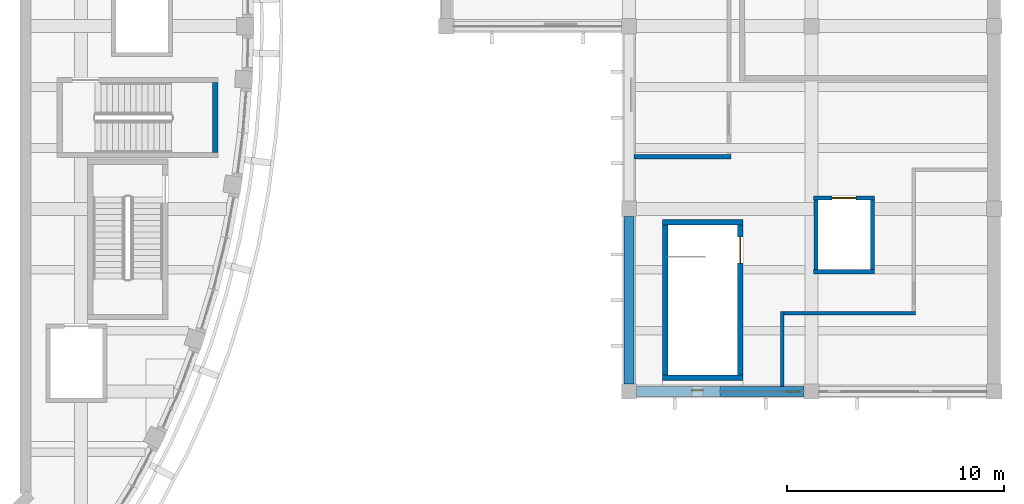
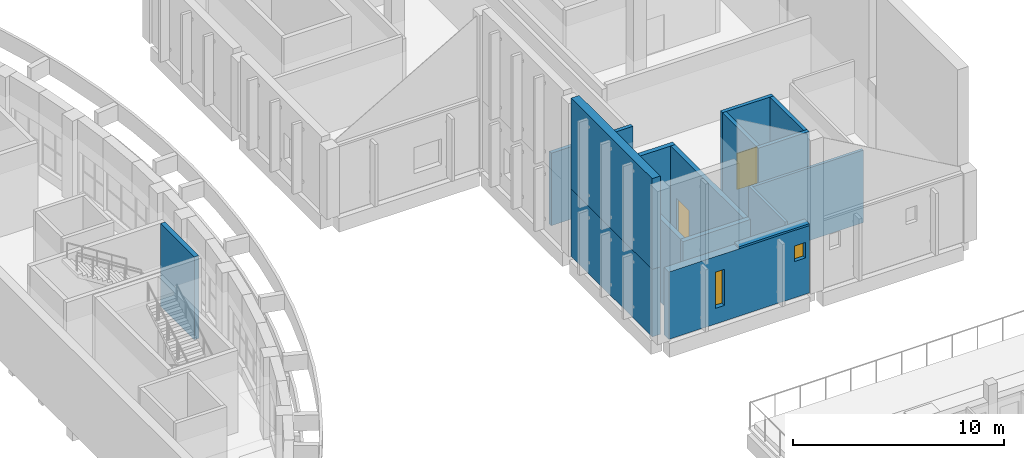
# One storey, part 41 of 79: 16 walls, 2 doors, 2 windows, 4 openings.
"""IFC4 building model written with IfcOpenShell, lengths in metres."""

from ifc_helpers import new_model, si_unit, direction, frame, frame_2d, origin, place, context, subcontext, project, spatial, rectangle, extrude, material, layer, layer_set, type_object, element, fill, save


model = new_model("IFC4")

# Units and contexts
model_context = context("Model", 3, precision=1e-05, world=origin(), true_north=direction((0.0, 1.0)))
body_context = subcontext(model_context, "Body", "Model", "MODEL_VIEW")
ifc_project = project(units=[si_unit("LENGTHUNIT", "METRE"), si_unit("AREAUNIT", "SQUARE_METRE"), si_unit("VOLUMEUNIT", "CUBIC_METRE"), si_unit("PLANEANGLEUNIT", "RADIAN"), si_unit("MASSUNIT", "GRAM", prefix="KILO")], contexts=[model_context])

# Site, building, storey
site_placement = place(None, origin())
site = spatial("IfcSite", under=ifc_project, at=site_placement, CompositionType="ELEMENT")
building_placement = place(site_placement, origin())
building = spatial("IfcBuilding", under=site, at=building_placement, Name="Larchfold Concert Hall", CompositionType="ELEMENT")
storey_placement = place(building_placement, frame((0.0, 0.0, 14.39990234375)))
storey = spatial("IfcBuildingStorey", under=building, at=storey_placement, Name="L03", CompositionType="ELEMENT", Elevation=14.39990234375)

# Walls
ifc_material_1 = material(Name="Plasterboard partition on steel studs", Category="steel")
ifc_layer_1 = layer(ifc_material_1, 0.199951171875)
ifc_layer_set_1 = layer_set([ifc_layer_1], Name="Plasterboard partition on steel studs")
wall_type_1 = type_object("IfcWallType", Name="Acoustic partition 200", PredefinedType="PARTITIONING", material=ifc_layer_set_1)
wall_1_placement = place(storey_placement, frame((84.8251953125, 78.60009765625, 0.0), z_axis=(0.0, 0.0, 1.0), x_axis=(1.0, 0.0, 0.0)))
element("IfcWall", 1, at=wall_1_placement, inside=storey, type_object=wall_type_1, Name="Partition IW0055", PredefinedType="PARTITIONING", context=body_context, shape_type="SweptSolid", body=[
    extrude(rectangle(XDim=4.474853515625, YDim=0.199951171875, at=frame_2d((2.2373046875, 0.0))), origin(), (0.0, 0.0, 1.0), 4.2001953125),
])
ifc_material_2 = material(Name="Charred larch cladding on mineral wool and CLT", Category="wood")
ifc_layer_2 = layer(ifc_material_2, 0.449951171875)
ifc_layer_set_2 = layer_set([ifc_layer_2], Name="Charred larch cladding on mineral wool and CLT")
wall_type_2 = type_object("IfcWallType", Name="Charred larch infill wall 450", PredefinedType="SOLIDWALL", material=ifc_layer_set_2)
wall_2_placement = place(storey_placement, frame((84.60009765625, 75.849853515625, 0.0), z_axis=(0.0, 0.0, 1.0), x_axis=(0.0, -1.0, 0.0)))
element("IfcWall", 2, at=wall_2_placement, inside=storey, type_object=wall_type_2, Name="Infill wall W5103", PredefinedType="SOLIDWALL", context=body_context, shape_type="SweptSolid", body=[
    extrude(rectangle(XDim=7.69970703125, YDim=0.449951171875, at=frame_2d((3.849853515625, 0.0))), origin(), (0.0, 0.0, 1.0), 3.900146484375),
])

# Wall, openings, windows
wall_3_placement = place(storey_placement, frame((84.9501953125, 67.800048828125, 0.0), z_axis=(0.0, 0.0, 1.0), x_axis=(1.0, 0.0, 0.0)))
wall_3 = element("IfcWall", 3, at=wall_3_placement, inside=storey, type_object=wall_type_2, Name="Infill wall W5104", PredefinedType="SOLIDWALL", context=body_context, shape_type="SweptSolid", body=[
    extrude(rectangle(XDim=7.69970703125, YDim=0.449951171875, at=frame_2d((3.849853515625, 0.0))), origin(), (0.0, 0.0, 1.0), 3.900146484375),
])
opening_1_placement = place(wall_3_placement, frame((2.5498046875, 0.0, 0.89990234375)))
opening_1 = element("IfcOpeningElement", 4, at=opening_1_placement, cuts=wall_3, Name="Opening WN-L03-057", PredefinedType="OPENING", context=body_context, shape_type="SweptSolid", body=[
    extrude(rectangle(XDim=0.5, YDim=2.10009765625, at=frame_2d((0.25, 1.050048828125))), frame((0.0, 0.23486328125, 0.0), z_axis=(0.0, -1.0, 0.0), x_axis=(1.0, 0.0, 0.0)), (0.0, 0.0, 1.0), 0.469970703125),
])
opening_2_placement = place(wall_3_placement, frame((6.874755859375, 0.0, 2.10009765625)))
opening_2 = element("IfcOpeningElement", 5, at=opening_2_placement, cuts=wall_3, Name="Opening WN-L03-058", PredefinedType="OPENING", context=body_context, shape_type="SweptSolid", body=[
    extrude(rectangle(XDim=0.60009765625, YDim=0.89990234375, at=frame_2d((0.300048828125, 0.449951171875))), frame((0.0, 0.23486328125, 0.0), z_axis=(0.0, -1.0, 0.0), x_axis=(1.0, 0.0, 0.0)), (0.0, 0.0, 1.0), 0.469970703125),
])
ifc_material_3 = material(Name="Anodised graphite aluminium frame with glass", Category="aluminium")
window_type_1 = type_object("IfcWindowType", Name="Stair slot window 500x2100", PartitioningType="SINGLE_PANEL", PredefinedType="WINDOW", material=ifc_material_3)
window_1_placement = place(opening_1_placement, origin())
window_1 = element("IfcWindow", 6, at=window_1_placement, inside=storey, type_object=window_type_1, Name="Window WN-L03-057", OverallHeight=2.10009765625, OverallWidth=0.5, PartitioningType="SINGLE_PANEL", PredefinedType="WINDOW", context=body_context, shape_type="SweptSolid", body=[
    extrude(rectangle(XDim=0.5, YDim=2.10009765625, at=frame_2d((0.25, 1.050048828125))), frame((0.0, 0.0849609375, 0.0), z_axis=(0.0, -1.0, 0.0), x_axis=(1.0, 0.0, 0.0)), (0.0, 0.0, 1.0), 0.06005859375),
])
fill(opening_1, window_1)
ifc_material_4 = material(Name="Anodised graphite aluminium frame with glass", Category="aluminium")
window_type_2 = type_object("IfcWindowType", Name="Store high window 600x900", PartitioningType="SINGLE_PANEL", PredefinedType="WINDOW", material=ifc_material_4)
window_2_placement = place(opening_2_placement, origin())
window_2 = element("IfcWindow", 7, at=window_2_placement, inside=storey, type_object=window_type_2, Name="Window WN-L03-058", OverallHeight=0.89990234375, OverallWidth=0.60009765625, PartitioningType="SINGLE_PANEL", PredefinedType="WINDOW", context=body_context, shape_type="SweptSolid", body=[
    extrude(rectangle(XDim=0.60009765625, YDim=0.89990234375, at=frame_2d((0.300048828125, 0.449951171875))), frame((0.0, 0.034912109375, 0.0), z_axis=(0.0, -1.0, 0.0), x_axis=(1.0, 0.0, 0.0)), (0.0, 0.0, 1.0), 0.06005859375),
])
fill(opening_2, window_2)

# Walls
wall_4_placement = place(storey_placement, frame((88.800048828125, 67.800048828125, 3.900146484375), z_axis=(0.0, 0.0, 1.0), x_axis=(1.0, 0.0, 0.0)))
element("IfcWall", 8, at=wall_4_placement, inside=storey, type_object=wall_type_2, Name="Infill wall W5203", PredefinedType="SOLIDWALL", context=body_context, shape_type="SweptSolid", body=[
    extrude(rectangle(XDim=3.849853515625, YDim=0.449951171875, at=frame_2d((1.9248046875, 0.0))), origin(), (0.0, 0.0, 1.0), 0.114501953125),
])
wall_5_placement = place(storey_placement, frame((84.60009765625, 75.849853515625, 3.900146484375), z_axis=(0.0, 0.0, 1.0), x_axis=(0.0, -1.0, 0.0)))
element("IfcWall", 9, at=wall_5_placement, inside=storey, type_object=wall_type_2, Name="Infill wall W5206", PredefinedType="SOLIDWALL", context=body_context, shape_type="SweptSolid", body=[
    extrude(rectangle(XDim=7.69970703125, YDim=0.449951171875, at=frame_2d((3.849853515625, 0.0))), origin(), (0.0, 0.0, 1.0), 5.26416015625),
])
ifc_material_5 = material(Name="Plasterboard partition on steel studs", Category="steel")
ifc_layer_3 = layer(ifc_material_5, 0.14990234375)
ifc_layer_set_3 = layer_set([ifc_layer_3], Name="Plasterboard partition on steel studs")
wall_type_3 = type_object("IfcWallType", Name="Shaft and plant partition 150 EI 120", PredefinedType="PARTITIONING", material=ifc_layer_set_3)
wall_6_placement = place(storey_placement, frame((91.64990234375, 68.025146484375, 0.0), z_axis=(0.0, 0.0, 1.0), x_axis=(0.0, 1.0, 0.0)))
element("IfcWall", 10, at=wall_6_placement, inside=storey, type_object=wall_type_3, Name="Partition IW0044", PredefinedType="PARTITIONING", context=body_context, shape_type="SweptSolid", body=[
    extrude(rectangle(XDim=3.449951171875, YDim=0.14990234375, at=frame_2d((1.72509765625, 0.0))), origin(), (0.0, 0.0, 1.0), 4.2001953125),
])
wall_7_placement = place(storey_placement, frame((91.72509765625, 71.39990234375, 0.0), z_axis=(0.0, 0.0, 1.0), x_axis=(1.0, 0.0, 0.0)))
element("IfcWall", 11, at=wall_7_placement, inside=storey, type_object=wall_type_3, Name="Partition IW0045", PredefinedType="PARTITIONING", context=body_context, shape_type="SweptSolid", body=[
    extrude(rectangle(XDim=6.0498046875, YDim=0.14990234375, at=frame_2d((3.02490234375, 0.0))), origin(), (0.0, 0.0, 1.0), 4.2001953125),
])
ifc_material_6 = material(Name="Concrete C40/50", Category="concrete")
ifc_layer_4 = layer(ifc_material_6, 0.199951171875)
ifc_layer_set_4 = layer_set([ifc_layer_4], Name="Concrete C40/50")
wall_type_4 = type_object("IfcWallType", Name="Wall RC 200 lift shaft", PredefinedType="SOLIDWALL", material=ifc_layer_set_4)
wall_8_placement = place(storey_placement, frame((93.10009765625, 73.300048828125, 0.0), z_axis=(0.0, 0.0, 1.0), x_axis=(1.0, 0.0, 0.0)))
element("IfcWall", 12, at=wall_8_placement, inside=storey, type_object=wall_type_4, Name="Wall W0138", PredefinedType="SOLIDWALL", context=body_context, shape_type="SweptSolid", body=[
    extrude(rectangle(XDim=2.7998046875, YDim=0.199951171875, at=frame_2d((1.39990234375, 0.0))), origin(), (0.0, 0.0, 1.0), 4.800048828125),
])

# Wall, opening, door
wall_9_placement = place(storey_placement, frame((93.10009765625, 76.699951171875, 0.0), z_axis=(0.0, 0.0, 1.0), x_axis=(1.0, 0.0, 0.0)))
wall_9 = element("IfcWall", 13, at=wall_9_placement, inside=storey, type_object=wall_type_4, Name="Wall W0139", PredefinedType="SOLIDWALL", context=body_context, shape_type="SweptSolid", body=[
    extrude(rectangle(XDim=2.7998046875, YDim=0.199951171875, at=frame_2d((1.39990234375, 0.0))), origin(), (0.0, 0.0, 1.0), 4.800048828125),
])
opening_3_placement = place(wall_9_placement, frame((0.849853515625, 0.0, 0.0)))
opening_3 = element("IfcOpeningElement", 14, at=opening_3_placement, cuts=wall_9, Name="Opening LD-LF08", PredefinedType="OPENING", context=body_context, shape_type="SweptSolid", body=[
    extrude(rectangle(XDim=1.10009765625, YDim=2.10009765625, at=frame_2d((0.550048828125, 1.050048828125))), frame((0.0, 0.10986328125, 0.0), z_axis=(0.0, -1.0, 0.0), x_axis=(1.0, 0.0, 0.0)), (0.0, 0.0, 1.0), 0.219970703125),
])
ifc_material_7 = material(Name="Stainless steel sliding leaves", Category="steel")
door_type_1 = type_object("IfcDoorType", Name="Lift landing door sliding 1100 x 2100", OperationType="SLIDING_TO_LEFT", PredefinedType="DOOR", material=ifc_material_7)
door_1_placement = place(opening_3_placement, origin())
door_1 = element("IfcDoor", 15, at=door_1_placement, inside=storey, type_object=door_type_1, Name="Lift landing door LF08", OperationType="SLIDING_TO_LEFT", OverallHeight=2.10009765625, OverallWidth=1.10009765625, PredefinedType="DOOR", context=body_context, shape_type="SweptSolid", body=[
    extrude(rectangle(XDim=1.10009765625, YDim=2.10009765625, at=frame_2d((0.550048828125, 1.050048828125))), frame((0.0, 0.02490234375, 0.0), z_axis=(0.0, -1.0, 0.0), x_axis=(1.0, 0.0, 0.0)), (0.0, 0.0, 1.0), 0.050048828125),
])
fill(opening_3, door_1)

# Walls
for number, where, z_axis, x_axis, name in (
    (16, (93.2001953125, 73.39990234375, 0.0), (0.0, 0.0, 1.0), (0.0, 1.0, 0.0), "Wall W0140"),
    (17, (95.7998046875, 73.39990234375, 0.0), (0.0, 0.0, 1.0), (0.0, 1.0, 0.0), "Wall W0141"),
):
    element("IfcWall", number, at=place(storey_placement, frame(where, z_axis=z_axis, x_axis=x_axis)), inside=storey, type_object=wall_type_4, Name=name, PredefinedType="SOLIDWALL", context=body_context, shape_type="SweptSolid", body=[
        extrude(rectangle(XDim=3.2001953125, YDim=0.199951171875, at=frame_2d((1.60009765625, 0.0))), origin(), (0.0, 0.0, 1.0), 4.800048828125),
    ])
ifc_material_8 = material(Name="Concrete C40/50", Category="concrete")
ifc_layer_5 = layer(ifc_material_8, 0.25)
ifc_layer_set_5 = layer_set([ifc_layer_5], Name="Concrete C40/50")
wall_type_5 = type_object("IfcWallType", Name="Wall RC 250 stair core", PredefinedType="SOLIDWALL", material=ifc_layer_set_5)
wall_10_placement = place(storey_placement, frame((65.574951171875, 78.800048828125, 0.0), z_axis=(0.0, 0.0, 1.0), x_axis=(0.0, 1.0, 0.0)))
element("IfcWall", 18, at=wall_10_placement, inside=storey, type_object=wall_type_5, Name="Wall W0061", PredefinedType="SOLIDWALL", context=body_context, shape_type="SweptSolid", body=[
    extrude(rectangle(XDim=3.199951171875, YDim=0.25, at=frame_2d((1.60009765625, 0.0))), origin(), (0.0, 0.0, 1.0), 4.800048828125),
])
for number, where, z_axis, x_axis, name in (
    (19, (86.14990234375, 68.425048828125, 0.0), (0.0, 0.0, 1.0), (1.0, 0.0, 0.0), "Wall W0090"),
    (20, (86.14990234375, 75.574951171875, 0.0), (0.0, 0.0, 1.0), (1.0, 0.0, 0.0), "Wall W0091"),
):
    element("IfcWall", number, at=place(storey_placement, frame(where, z_axis=z_axis, x_axis=x_axis)), inside=storey, type_object=wall_type_5, Name=name, PredefinedType="SOLIDWALL", context=body_context, shape_type="SweptSolid", body=[
        extrude(rectangle(XDim=3.7001953125, YDim=0.25, at=frame_2d((1.85009765625, 0.0))), origin(), (0.0, 0.0, 1.0), 4.800048828125),
    ])
wall_11_placement = place(storey_placement, frame((86.27490234375, 68.550048828125, 0.0), z_axis=(0.0, 0.0, 1.0), x_axis=(0.0, 1.0, 0.0)))
element("IfcWall", 21, at=wall_11_placement, inside=storey, type_object=wall_type_5, Name="Wall W0092", PredefinedType="SOLIDWALL", context=body_context, shape_type="SweptSolid", body=[
    extrude(rectangle(XDim=6.89990234375, YDim=0.25, at=frame_2d((3.449951171875, 0.0))), origin(), (0.0, 0.0, 1.0), 4.800048828125),
])

# Wall, opening, door
wall_12_placement = place(storey_placement, frame((89.72509765625, 68.550048828125, 0.0), z_axis=(0.0, 0.0, 1.0), x_axis=(0.0, 1.0, 0.0)))
wall_12 = element("IfcWall", 22, at=wall_12_placement, inside=storey, type_object=wall_type_5, Name="Wall W0093", PredefinedType="SOLIDWALL", context=body_context, shape_type="SweptSolid", body=[
    extrude(rectangle(XDim=6.89990234375, YDim=0.25, at=frame_2d((3.449951171875, 0.0))), origin(), (0.0, 0.0, 1.0), 4.800048828125),
])
opening_4_placement = place(wall_12_placement, frame((5.14990234375, 0.0, 0.0)))
opening_4 = element("IfcOpeningElement", 23, at=opening_4_placement, cuts=wall_12, Name="Opening D-L03-144", PredefinedType="OPENING", context=body_context, shape_type="SweptSolid", body=[
    extrude(rectangle(XDim=1.199951171875, YDim=2.10009765625, at=frame_2d((0.60009765625, 1.050048828125))), frame((0.0, 0.135009765625, 0.0), z_axis=(0.0, -1.0, 0.0), x_axis=(1.0, 0.0, 0.0)), (0.0, 0.0, 1.0), 0.27001953125),
])
ifc_material_9 = material(Name="Timber door leaf", Category="wood")
door_type_2 = type_object("IfcDoorType", Name="Stair enclosure door pair 1200 x 2100 FD60", OperationType="SINGLE_SWING_LEFT", PredefinedType="DOOR", material=ifc_material_9)
door_2_placement = place(opening_4_placement, origin())
door_2 = element("IfcDoor", 24, at=door_2_placement, inside=storey, type_object=door_type_2, Name="Door D-L03-144", OperationType="DOUBLE_DOOR_SINGLE_SWING", OverallHeight=2.10009765625, OverallWidth=1.199951171875, PredefinedType="DOOR", context=body_context, shape_type="SweptSolid", body=[
    extrude(rectangle(XDim=1.199951171875, YDim=2.10009765625, at=frame_2d((0.60009765625, 1.050048828125))), frame((0.0, 0.02490234375, 0.0), z_axis=(0.0, -1.0, 0.0), x_axis=(1.0, 0.0, 0.0)), (0.0, 0.0, 1.0), 0.050048828125),
])
fill(opening_4, door_2)

save(model, "model.ifc")
